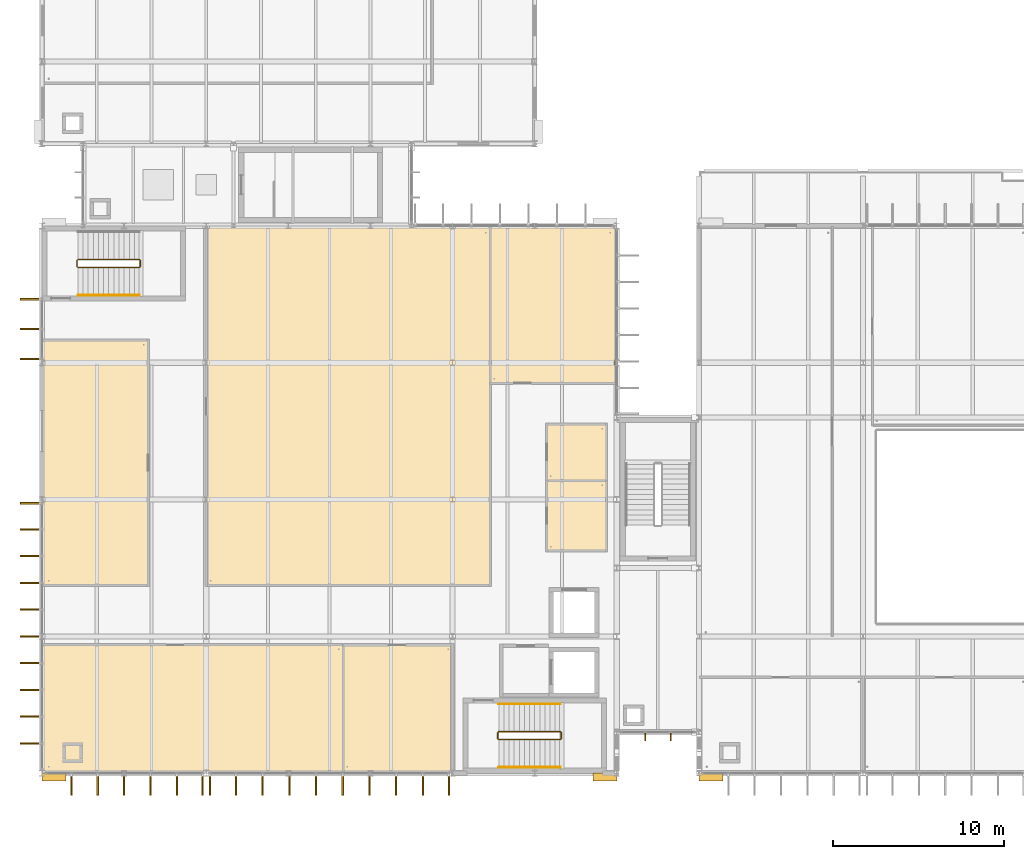
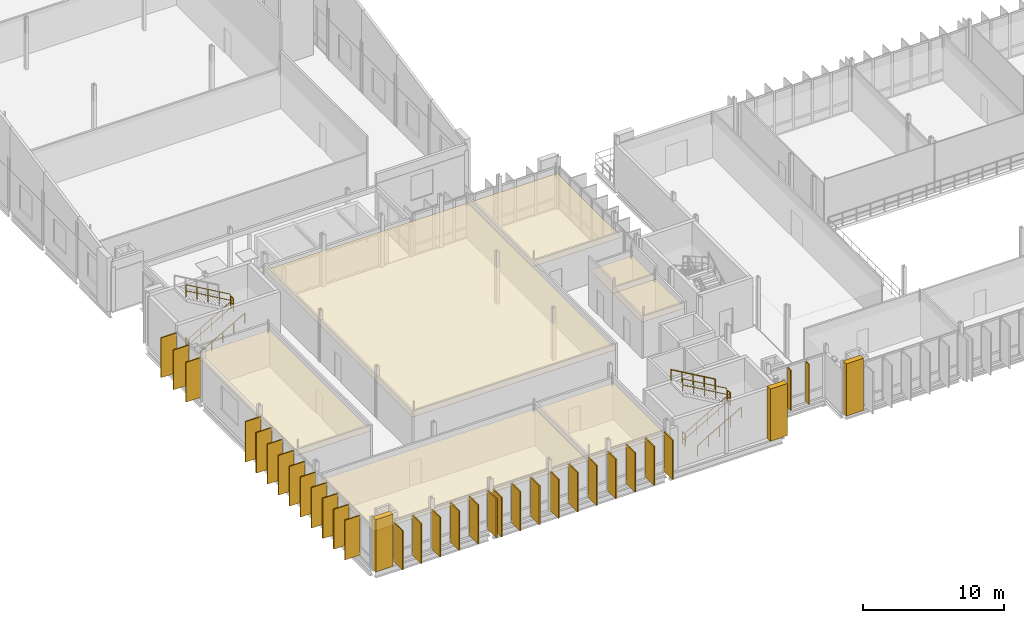
# One storey, part 85 of 93: 39 coverings, 11 railings, 2 shading devices.
"""IFC4 building model written with IfcOpenShell, lengths in metres."""

from ifc_helpers import new_model, si_unit, direction, frame, origin, origin_2d, place, context, subcontext, project, spatial, polyline, rectangle, circle, outline, extrude, material, layer, layer_set, type_object, element, save


model = new_model("IFC4")

# Units and contexts
model_context = context("Model", 3, precision=1e-05, world=origin(), true_north=direction((0.0, 1.0)))
body_context = subcontext(model_context, "Body", "Model", "MODEL_VIEW")
ifc_project = project(units=[si_unit("LENGTHUNIT", "METRE"), si_unit("AREAUNIT", "SQUARE_METRE"), si_unit("VOLUMEUNIT", "CUBIC_METRE"), si_unit("PLANEANGLEUNIT", "RADIAN"), si_unit("MASSUNIT", "GRAM", prefix="KILO")], contexts=[model_context])

# Site, building, storey
site_placement = place(None, origin())
site = spatial("IfcSite", under=ifc_project, at=site_placement, CompositionType="ELEMENT")
building_placement = place(site_placement, origin())
building = spatial("IfcBuilding", under=site, at=building_placement, Name="Dunescarp Central Library", CompositionType="ELEMENT")
storey_placement = place(building_placement, frame((0.0, 0.0, 14.10009765625)))
storey = spatial("IfcBuildingStorey", under=building, at=storey_placement, Name="L03", CompositionType="ELEMENT", Elevation=14.10009765625)

# Coverings
ifc_material_1 = material(Name="Perforated birch acoustic timber baffle", Category="wood")
ifc_layer_1 = layer(ifc_material_1, 0.050048828125)
ifc_layer_set_1 = layer_set([ifc_layer_1], Name="Perforated birch acoustic timber baffle")
covering_type_1 = type_object("IfcCoveringType", Name="ARC-COV-BAFFLE", PredefinedType="CEILING", material=ifc_layer_set_1)
covering_1_placement = place(storey_placement, frame((0.0, 0.0, 3.0498046875)))
element("IfcCovering", 1, at=covering_1_placement, inside=storey, type_object=covering_type_1, Name="L03 ceiling Science & Engineering Reading Gallery", PredefinedType="CEILING", context=body_context, shape_type="SweptSolid", body=[
    extrude(outline(polyline([(0.1201171875, 4.919921875), (17.6201171875, 4.919921875), (17.6201171875, 12.320068359375), (0.1201171875, 12.320068359375), (0.1201171875, 4.919921875)])), origin(), (0.0, 0.0, 1.0), 0.050048828125),
])
ifc_material_2 = material(Name="Mineral-fibre acoustic ceiling tile")
ifc_layer_2 = layer(ifc_material_2, 0.0400390625)
ifc_layer_set_2 = layer_set([ifc_layer_2], Name="Mineral-fibre acoustic ceiling tile")
covering_type_2 = type_object("IfcCoveringType", Name="ARC-COV-CEIL40", PredefinedType="CEILING", material=ifc_layer_set_2)
covering_2_placement = place(storey_placement, frame((0.0, 0.0, 3.0498046875)))
element("IfcCovering", 2, at=covering_2_placement, inside=storey, type_object=covering_type_2, Name="L03 ceiling Public Toilets", PredefinedType="CEILING", context=body_context, shape_type="SweptSolid", body=[
    extrude(outline(polyline([(29.47998046875, 17.780029296875), (33.02001953125, 17.780029296875), (33.02001953125, 21.919921875), (29.47998046875, 21.919921875), (29.47998046875, 17.780029296875)])), origin(), (0.0, 0.0, 1.0), 0.0400390625),
])
covering_3_placement = place(storey_placement, frame((0.0, 0.0, 3.0498046875)))
element("IfcCovering", 3, at=covering_3_placement, inside=storey, type_object=covering_type_2, Name="L03 ceiling Accessible Toilet", PredefinedType="CEILING", context=body_context, shape_type="SweptSolid", body=[
    extrude(outline(polyline([(29.47998046875, 21.8798828125), (33.02001953125, 21.8798828125), (33.02001953125, 25.219970703125), (29.47998046875, 25.219970703125), (29.47998046875, 21.8798828125)])), origin(), (0.0, 0.0, 1.0), 0.0400390625),
])
covering_4_placement = place(storey_placement, frame((0.0, 0.0, 3.0498046875)))
element("IfcCovering", 4, at=covering_4_placement, inside=storey, type_object=covering_type_2, Name="L03 ceiling Patent & Standards Seminar Room", PredefinedType="CEILING", context=body_context, shape_type="SweptSolid", body=[
    extrude(outline(polyline([(17.580078125, 4.919921875), (24.02001953125, 4.919921875), (24.02001953125, 12.320068359375), (17.580078125, 12.320068359375), (17.580078125, 4.919921875)])), origin(), (0.0, 0.0, 1.0), 0.0400390625),
])
covering_5_placement = place(storey_placement, frame((0.0, 0.0, 3.0498046875)))
element("IfcCovering", 5, at=covering_5_placement, inside=storey, type_object=covering_type_2, Name="L03 ceiling Digital GIS & Cartography Lab", PredefinedType="CEILING", context=body_context, shape_type="SweptSolid", body=[
    extrude(outline(polyline([(0.1201171875, 15.780029296875), (6.219970703125, 15.780029296875), (6.219970703125, 30.1201171875), (0.1201171875, 30.1201171875), (0.1201171875, 15.780029296875)])), origin(), (0.0, 0.0, 1.0), 0.0400390625),
])
covering_6_placement = place(storey_placement, frame((0.0, 0.0, 3.0498046875)))
element("IfcCovering", 6, at=covering_6_placement, inside=storey, type_object=covering_type_2, Name="L03 ceiling Academic Research Carrels", PredefinedType="CEILING", context=body_context, shape_type="SweptSolid", body=[
    extrude(outline(polyline([(9.580078125, 15.780029296875), (26.219970703125, 15.780029296875), (26.219970703125, 36.679931640625), (9.580078125, 36.679931640625), (9.580078125, 15.780029296875)])), origin(), (0.0, 0.0, 1.0), 0.0400390625),
])
covering_7_placement = place(storey_placement, frame((0.0, 0.0, 3.0498046875)))
element("IfcCovering", 7, at=covering_7_placement, inside=storey, type_object=covering_type_2, Name="L03 ceiling Inter-Library Loan Store", PredefinedType="CEILING", context=body_context, shape_type="SweptSolid", body=[
    extrude(outline(polyline([(26.179931640625, 27.580078125), (33.47998046875, 27.580078125), (33.47998046875, 36.679931640625), (26.179931640625, 36.679931640625), (26.179931640625, 27.580078125)])), origin(), (0.0, 0.0, 1.0), 0.0400390625),
])
ifc_material_3 = material(Name="Glass-fibre reinforced concrete GRC", Category="concrete")
ifc_layer_3 = layer(ifc_material_3, 0.090087890625)
ifc_layer_set_3 = layer_set([ifc_layer_3], Name="Glass-fibre reinforced concrete GRC")
covering_type_3 = type_object("IfcCoveringType", Name="ARC-COV-FIN1250", PredefinedType="CLADDING", material=ifc_layer_set_3)
covering_8_placement = place(storey_placement, frame((9.385009765625, 4.137939453125, 0.1669921875), z_axis=(0.0, 0.0, 1.0), x_axis=(0.0, -1.0, 0.0)))
element("IfcCovering", 8, at=covering_8_placement, inside=storey, type_object=covering_type_3, Name="L03 parametric vertical facade fin FIN-L03-0120", PredefinedType="CLADDING", context=body_context, shape_type="SweptSolid", body=[
    extrude(rectangle(XDim=1.25, YDim=0.090087890625, at=origin_2d()), origin(), (0.0, 0.0, 1.0), 3.3779296875),
])
covering_9_placement = place(storey_placement, frame((7.883056640625, 4.137939453125, 0.17919921875), z_axis=(0.0, 0.0, 1.0), x_axis=(0.0, -1.0, 0.0)))
element("IfcCovering", 9, at=covering_9_placement, inside=storey, type_object=covering_type_3, Name="L03 parametric vertical facade fin FIN-L03-0121", PredefinedType="CLADDING", context=body_context, shape_type="SweptSolid", body=[
    extrude(rectangle(XDim=1.25, YDim=0.090087890625, at=origin_2d()), origin(), (0.0, 0.0, 1.0), 3.364990234375),
])
covering_10_placement = place(storey_placement, frame((6.342041015625, 4.137939453125, 0.16357421875), z_axis=(0.0, 0.0, 1.0), x_axis=(0.0, -1.0, 0.0)))
element("IfcCovering", 10, at=covering_10_placement, inside=storey, type_object=covering_type_3, Name="L03 parametric vertical facade fin FIN-L03-0122", PredefinedType="CLADDING", context=body_context, shape_type="SweptSolid", body=[
    extrude(rectangle(XDim=1.25, YDim=0.090087890625, at=origin_2d()), origin(), (0.0, 0.0, 1.0), 3.381103515625),
])
covering_11_placement = place(storey_placement, frame((4.800048828125, 4.137939453125, 0.123046875), z_axis=(0.0, 0.0, 1.0), x_axis=(0.0, -1.0, 0.0)))
element("IfcCovering", 11, at=covering_11_placement, inside=storey, type_object=covering_type_3, Name="L03 parametric vertical facade fin FIN-L03-0123", PredefinedType="CLADDING", context=body_context, shape_type="SweptSolid", body=[
    extrude(rectangle(XDim=1.25, YDim=0.090087890625, at=origin_2d()), origin(), (0.0, 0.0, 1.0), 3.422119140625),
])
covering_12_placement = place(storey_placement, frame((3.258056640625, 4.137939453125, 0.079833984375), z_axis=(0.0, 0.0, 1.0), x_axis=(0.0, -1.0, 0.0)))
element("IfcCovering", 12, at=covering_12_placement, inside=storey, type_object=covering_type_3, Name="L03 parametric vertical facade fin FIN-L03-0124", PredefinedType="CLADDING", context=body_context, shape_type="SweptSolid", body=[
    extrude(rectangle(XDim=1.25, YDim=0.090087890625, at=origin_2d()), origin(), (0.0, 0.0, 1.0), 3.4541015625),
])
covering_13_placement = place(storey_placement, frame((1.717041015625, 4.137939453125, 0.080078125), z_axis=(0.0, 0.0, 1.0), x_axis=(0.0, -1.0, 0.0)))
element("IfcCovering", 13, at=covering_13_placement, inside=storey, type_object=covering_type_3, Name="L03 parametric vertical facade fin FIN-L03-0125", PredefinedType="CLADDING", context=body_context, shape_type="SweptSolid", body=[
    extrude(rectangle(XDim=1.25, YDim=0.090087890625, at=origin_2d()), origin(), (0.0, 0.0, 1.0), 3.404052734375),
])
covering_14_placement = place(storey_placement, frame((23.784912109375, 4.137939453125, 0.1669921875), z_axis=(0.0, 0.0, 1.0), x_axis=(0.0, -1.0, 0.0)))
element("IfcCovering", 14, at=covering_14_placement, inside=storey, type_object=covering_type_3, Name="L03 parametric vertical facade fin FIN-L03-0126", PredefinedType="CLADDING", context=body_context, shape_type="SweptSolid", body=[
    extrude(rectangle(XDim=1.25, YDim=0.090087890625, at=origin_2d()), origin(), (0.0, 0.0, 1.0), 3.3779296875),
])
covering_15_placement = place(storey_placement, frame((22.263916015625, 4.137939453125, 0.17919921875), z_axis=(0.0, 0.0, 1.0), x_axis=(0.0, -1.0, 0.0)))
element("IfcCovering", 15, at=covering_15_placement, inside=storey, type_object=covering_type_3, Name="L03 parametric vertical facade fin FIN-L03-0127", PredefinedType="CLADDING", context=body_context, shape_type="SweptSolid", body=[
    extrude(rectangle(XDim=1.25, YDim=0.090087890625, at=origin_2d()), origin(), (0.0, 0.0, 1.0), 3.364990234375),
])
covering_16_placement = place(storey_placement, frame((20.702880859375, 4.137939453125, 0.16357421875), z_axis=(0.0, 0.0, 1.0), x_axis=(0.0, -1.0, 0.0)))
element("IfcCovering", 16, at=covering_16_placement, inside=storey, type_object=covering_type_3, Name="L03 parametric vertical facade fin FIN-L03-0128", PredefinedType="CLADDING", context=body_context, shape_type="SweptSolid", body=[
    extrude(rectangle(XDim=1.25, YDim=0.090087890625, at=origin_2d()), origin(), (0.0, 0.0, 1.0), 3.381103515625),
])
covering_17_placement = place(storey_placement, frame((19.14208984375, 4.137939453125, 0.123046875), z_axis=(0.0, 0.0, 1.0), x_axis=(0.0, -1.0, 0.0)))
element("IfcCovering", 17, at=covering_17_placement, inside=storey, type_object=covering_type_3, Name="L03 parametric vertical facade fin FIN-L03-0129", PredefinedType="CLADDING", context=body_context, shape_type="SweptSolid", body=[
    extrude(rectangle(XDim=1.25, YDim=0.090087890625, at=origin_2d()), origin(), (0.0, 0.0, 1.0), 3.422119140625),
])
covering_18_placement = place(storey_placement, frame((17.5810546875, 4.137939453125, 0.079833984375), z_axis=(0.0, 0.0, 1.0), x_axis=(0.0, -1.0, 0.0)))
element("IfcCovering", 18, at=covering_18_placement, inside=storey, type_object=covering_type_3, Name="L03 parametric vertical facade fin FIN-L03-0130", PredefinedType="CLADDING", context=body_context, shape_type="SweptSolid", body=[
    extrude(rectangle(XDim=1.25, YDim=0.090087890625, at=origin_2d()), origin(), (0.0, 0.0, 1.0), 3.4541015625),
])
covering_19_placement = place(storey_placement, frame((16.01904296875, 4.137939453125, 0.080078125), z_axis=(0.0, 0.0, 1.0), x_axis=(0.0, -1.0, 0.0)))
element("IfcCovering", 19, at=covering_19_placement, inside=storey, type_object=covering_type_3, Name="L03 parametric vertical facade fin FIN-L03-0131", PredefinedType="CLADDING", context=body_context, shape_type="SweptSolid", body=[
    extrude(rectangle(XDim=1.25, YDim=0.090087890625, at=origin_2d()), origin(), (0.0, 0.0, 1.0), 3.404052734375),
])
covering_20_placement = place(storey_placement, frame((14.4580078125, 4.137939453125, 0.079345703125), z_axis=(0.0, 0.0, 1.0), x_axis=(0.0, -1.0, 0.0)))
element("IfcCovering", 20, at=covering_20_placement, inside=storey, type_object=covering_type_3, Name="L03 parametric vertical facade fin FIN-L03-0132", PredefinedType="CLADDING", context=body_context, shape_type="SweptSolid", body=[
    extrude(rectangle(XDim=1.25, YDim=0.090087890625, at=origin_2d()), origin(), (0.0, 0.0, 1.0), 3.37109375),
])
covering_21_placement = place(storey_placement, frame((12.89697265625, 4.137939453125, 0.08056640625), z_axis=(0.0, 0.0, 1.0), x_axis=(0.0, -1.0, 0.0)))
element("IfcCovering", 21, at=covering_21_placement, inside=storey, type_object=covering_type_3, Name="L03 parametric vertical facade fin FIN-L03-0133", PredefinedType="CLADDING", context=body_context, shape_type="SweptSolid", body=[
    extrude(rectangle(XDim=1.25, YDim=0.090087890625, at=origin_2d()), origin(), (0.0, 0.0, 1.0), 3.366943359375),
])
covering_22_placement = place(storey_placement, frame((11.3359375, 4.137939453125, 0.080322265625), z_axis=(0.0, 0.0, 1.0), x_axis=(0.0, -1.0, 0.0)))
element("IfcCovering", 22, at=covering_22_placement, inside=storey, type_object=covering_type_3, Name="L03 parametric vertical facade fin FIN-L03-0134", PredefinedType="CLADDING", context=body_context, shape_type="SweptSolid", body=[
    extrude(rectangle(XDim=1.25, YDim=0.090087890625, at=origin_2d()), origin(), (0.0, 0.0, 1.0), 3.39111328125),
])
covering_23_placement = place(storey_placement, frame((9.81494140625, 4.137939453125, 0.080322265625), z_axis=(0.0, 0.0, 1.0), x_axis=(0.0, -1.0, 0.0)))
element("IfcCovering", 23, at=covering_23_placement, inside=storey, type_object=covering_type_3, Name="L03 parametric vertical facade fin FIN-L03-0135", PredefinedType="CLADDING", context=body_context, shape_type="SweptSolid", body=[
    extrude(rectangle(XDim=1.25, YDim=0.090087890625, at=origin_2d()), origin(), (0.0, 0.0, 1.0), 3.43701171875),
])
covering_24_placement = place(storey_placement, frame((-0.662109375, 6.5400390625, 0.180419921875), z_axis=(0.0, 0.0, 1.0), x_axis=(-1.0, 0.0, 0.0)))
element("IfcCovering", 24, at=covering_24_placement, inside=storey, type_object=covering_type_3, Name="L03 parametric vertical facade fin FIN-L03-0143", PredefinedType="CLADDING", context=body_context, shape_type="SweptSolid", body=[
    extrude(rectangle(XDim=1.25, YDim=0.090087890625, at=origin_2d()), origin(), (0.0, 0.0, 1.0), 3.4150390625),
])
covering_25_placement = place(storey_placement, frame((-0.662109375, 8.10498046875, 0.16357421875), z_axis=(0.0, 0.0, 1.0), x_axis=(-1.0, 0.0, 0.0)))
element("IfcCovering", 25, at=covering_25_placement, inside=storey, type_object=covering_type_3, Name="L03 parametric vertical facade fin FIN-L03-0144", PredefinedType="CLADDING", context=body_context, shape_type="SweptSolid", body=[
    extrude(rectangle(XDim=1.25, YDim=0.090087890625, at=origin_2d()), origin(), (0.0, 0.0, 1.0), 3.430908203125),
])
covering_26_placement = place(storey_placement, frame((-0.662109375, 9.669921875, 0.123046875), z_axis=(0.0, 0.0, 1.0), x_axis=(-1.0, 0.0, 0.0)))
element("IfcCovering", 26, at=covering_26_placement, inside=storey, type_object=covering_type_3, Name="L03 parametric vertical facade fin FIN-L03-0145", PredefinedType="CLADDING", context=body_context, shape_type="SweptSolid", body=[
    extrude(rectangle(XDim=1.25, YDim=0.090087890625, at=origin_2d()), origin(), (0.0, 0.0, 1.0), 3.471923828125),
])
covering_27_placement = place(storey_placement, frame((-0.662109375, 11.235107421875, 0.079833984375), z_axis=(0.0, 0.0, 1.0), x_axis=(-1.0, 0.0, 0.0)))
element("IfcCovering", 27, at=covering_27_placement, inside=storey, type_object=covering_type_3, Name="L03 parametric vertical facade fin FIN-L03-0146", PredefinedType="CLADDING", context=body_context, shape_type="SweptSolid", body=[
    extrude(rectangle(XDim=1.25, YDim=0.090087890625, at=origin_2d()), origin(), (0.0, 0.0, 1.0), 3.50390625),
])
covering_28_placement = place(storey_placement, frame((-0.662109375, 12.800048828125, 0.079833984375), z_axis=(0.0, 0.0, 1.0), x_axis=(-1.0, 0.0, 0.0)))
element("IfcCovering", 28, at=covering_28_placement, inside=storey, type_object=covering_type_3, Name="L03 parametric vertical facade fin FIN-L03-0147", PredefinedType="CLADDING", context=body_context, shape_type="SweptSolid", body=[
    extrude(rectangle(XDim=1.25, YDim=0.090087890625, at=origin_2d()), origin(), (0.0, 0.0, 1.0), 3.4541015625),
])
covering_29_placement = place(storey_placement, frame((-0.662109375, 14.364990234375, 0.079345703125), z_axis=(0.0, 0.0, 1.0), x_axis=(-1.0, 0.0, 0.0)))
element("IfcCovering", 29, at=covering_29_placement, inside=storey, type_object=covering_type_3, Name="L03 parametric vertical facade fin FIN-L03-0148", PredefinedType="CLADDING", context=body_context, shape_type="SweptSolid", body=[
    extrude(rectangle(XDim=1.25, YDim=0.090087890625, at=origin_2d()), origin(), (0.0, 0.0, 1.0), 3.4208984375),
])
covering_30_placement = place(storey_placement, frame((-0.662109375, 15.929931640625, 0.080322265625), z_axis=(0.0, 0.0, 1.0), x_axis=(-1.0, 0.0, 0.0)))
element("IfcCovering", 30, at=covering_30_placement, inside=storey, type_object=covering_type_3, Name="L03 parametric vertical facade fin FIN-L03-0149", PredefinedType="CLADDING", context=body_context, shape_type="SweptSolid", body=[
    extrude(rectangle(XDim=1.25, YDim=0.090087890625, at=origin_2d()), origin(), (0.0, 0.0, 1.0), 3.4169921875),
])
covering_31_placement = place(storey_placement, frame((-0.662109375, 17.4951171875, 0.079345703125), z_axis=(0.0, 0.0, 1.0), x_axis=(-1.0, 0.0, 0.0)))
element("IfcCovering", 31, at=covering_31_placement, inside=storey, type_object=covering_type_3, Name="L03 parametric vertical facade fin FIN-L03-0150", PredefinedType="CLADDING", context=body_context, shape_type="SweptSolid", body=[
    extrude(rectangle(XDim=1.25, YDim=0.090087890625, at=origin_2d()), origin(), (0.0, 0.0, 1.0), 3.44091796875),
])
covering_32_placement = place(storey_placement, frame((-0.662109375, 19.06005859375, 0.08056640625), z_axis=(0.0, 0.0, 1.0), x_axis=(-1.0, 0.0, 0.0)))
element("IfcCovering", 32, at=covering_32_placement, inside=storey, type_object=covering_type_3, Name="L03 parametric vertical facade fin FIN-L03-0151", PredefinedType="CLADDING", context=body_context, shape_type="SweptSolid", body=[
    extrude(rectangle(XDim=1.25, YDim=0.090087890625, at=origin_2d()), origin(), (0.0, 0.0, 1.0), 3.487060546875),
])
covering_33_placement = place(storey_placement, frame((-0.662109375, 20.5849609375, 0.10546875), z_axis=(0.0, 0.0, 1.0), x_axis=(-1.0, 0.0, 0.0)))
element("IfcCovering", 33, at=covering_33_placement, inside=storey, type_object=covering_type_3, Name="L03 parametric vertical facade fin FIN-L03-0152", PredefinedType="CLADDING", context=body_context, shape_type="SweptSolid", body=[
    extrude(rectangle(XDim=1.25, YDim=0.090087890625, at=origin_2d()), origin(), (0.0, 0.0, 1.0), 3.489013671875),
])
covering_34_placement = place(storey_placement, frame((-0.662109375, 29.014892578125, 0.1669921875), z_axis=(0.0, 0.0, 1.0), x_axis=(-1.0, 0.0, 0.0)))
element("IfcCovering", 34, at=covering_34_placement, inside=storey, type_object=covering_type_3, Name="L03 parametric vertical facade fin FIN-L03-0153", PredefinedType="CLADDING", context=body_context, shape_type="SweptSolid", body=[
    extrude(rectangle(XDim=1.25, YDim=0.090087890625, at=origin_2d()), origin(), (0.0, 0.0, 1.0), 3.427978515625),
])
covering_35_placement = place(storey_placement, frame((-0.662109375, 30.761962890625, 0.180419921875), z_axis=(0.0, 0.0, 1.0), x_axis=(-1.0, 0.0, 0.0)))
element("IfcCovering", 35, at=covering_35_placement, inside=storey, type_object=covering_type_3, Name="L03 parametric vertical facade fin FIN-L03-0154", PredefinedType="CLADDING", context=body_context, shape_type="SweptSolid", body=[
    extrude(rectangle(XDim=1.25, YDim=0.090087890625, at=origin_2d()), origin(), (0.0, 0.0, 1.0), 3.4150390625),
])
covering_36_placement = place(storey_placement, frame((-0.662109375, 32.510009765625, 0.16357421875), z_axis=(0.0, 0.0, 1.0), x_axis=(-1.0, 0.0, 0.0)))
element("IfcCovering", 36, at=covering_36_placement, inside=storey, type_object=covering_type_3, Name="L03 parametric vertical facade fin FIN-L03-0155", PredefinedType="CLADDING", context=body_context, shape_type="SweptSolid", body=[
    extrude(rectangle(XDim=1.25, YDim=0.090087890625, at=origin_2d()), origin(), (0.0, 0.0, 1.0), 3.430908203125),
])
ifc_layer_4 = layer(ifc_material_3, 0.449951171875)
ifc_layer_set_4 = layer_set([ifc_layer_4], Name="Glass-fibre reinforced concrete GRC")
covering_type_4 = type_object("IfcCoveringType", Name="ARC-COV-PORTAL", PredefinedType="CLADDING", material=ifc_layer_set_4)
for number, where, z_axis, x_axis, name in (
    (37, (39.10009765625, 4.580078125, 0.0), (0.0, 0.0, 1.0), (1.0, 0.0, 0.0), "V2 sculpted GRC portal pier PRT-BAND-V2-013"),
    (38, (0.699951171875, 4.580078125, 0.0), (0.0, 0.0, 1.0), (1.0, 0.0, 0.0), "V1 sculpted GRC portal pier PRT-BAND-V1-093"),
    (39, (32.89990234375, 4.580078125, 0.0), (0.0, 0.0, 1.0), (1.0, 0.0, 0.0), "V1 sculpted GRC portal pier PRT-BAND-V1-095"),
):
    element("IfcCovering", number, at=place(storey_placement, frame(where, z_axis=z_axis, x_axis=x_axis)), inside=storey, type_object=covering_type_4, Name=name, PredefinedType="CLADDING", context=body_context, shape_type="SweptSolid", body=[
        extrude(rectangle(XDim=1.39990234375, YDim=0.449951171875, at=origin_2d()), origin(), (0.0, 0.0, 1.0), 4.5),
    ])

# Railings
ifc_material_4 = material(Name="Stainless steel Grade 316L", Category="steel")
railing_type_1 = type_object("IfcRailingType", Name="ARC-RL-GUARD", PredefinedType="GUARDRAIL", material=ifc_material_4)
railing_1_placement = place(storey_placement, frame((26.699951171875, 6.77001953125, 0.173095703125)))
element("IfcRailing", 40, at=railing_1_placement, inside=storey, type_object=railing_type_1, Name="L03 ST-1 stair guard 1", PredefinedType="GUARDRAIL", context=body_context, shape_type="SweptSolid", body=[
    extrude(circle(Radius=0.02392578125, at=origin_2d()), frame((0.0, 0.0, 1.076171875), z_axis=(0.866193409371, 0.0, 0.499708892819), x_axis=(0.0, 1.0, 0.0)), (0.0, 0.0, 1.0), 4.15625),
    extrude(circle(Radius=0.02392578125, at=origin_2d()), frame((0.0, 0.0, 0.550048828125), z_axis=(0.866193409371, 0.0, 0.499708892819), x_axis=(0.0, 1.0, 0.0)), (0.0, 0.0, 1.0), 4.15625),
    extrude(circle(Radius=0.02099609375, at=origin_2d()), origin(), (0.0, 0.0, 1.0), 1.052001953125),
    extrude(circle(Radius=0.02099609375, at=origin_2d()), frame((0.89990234375, 0.0, 0.519287109375)), (0.0, 0.0, 1.0), 1.052001953125),
    extrude(circle(Radius=0.02099609375, at=origin_2d()), frame((1.800048828125, 0.0, 1.03857421875)), (0.0, 0.0, 1.0), 1.052001953125),
    extrude(circle(Radius=0.02099609375, at=origin_2d()), frame((2.7001953125, 0.0, 1.5576171875)), (0.0, 0.0, 1.0), 1.052001953125),
    extrude(circle(Radius=0.02099609375, at=origin_2d()), frame((3.60009765625, 0.0, 2.076904296875)), (0.0, 0.0, 1.0), 1.052001953125),
])
railing_2_placement = place(storey_placement, frame((30.35009765625, 6.820068359375, 2.25)))
element("IfcRailing", 41, at=railing_2_placement, inside=storey, type_object=railing_type_1, Name="L03 ST-1 stair guard 2", PredefinedType="GUARDRAIL", context=body_context, shape_type="SweptSolid", body=[
    extrude(circle(Radius=0.02392578125, at=origin_2d()), frame((0.0, 0.0, 1.076171875), z_axis=(0.0, 1.0, 0.0), x_axis=(-1.0, 0.0, 0.0)), (0.0, 0.0, 1.0), 0.35986328125),
    extrude(circle(Radius=0.02392578125, at=origin_2d()), frame((0.0, 0.0, 0.550048828125), z_axis=(0.0, 1.0, 0.0), x_axis=(-1.0, 0.0, 0.0)), (0.0, 0.0, 1.0), 0.35986328125),
    extrude(circle(Radius=0.02099609375, at=origin_2d()), origin(), (0.0, 0.0, 1.0), 1.052001953125),
    extrude(circle(Radius=0.02099609375, at=origin_2d()), frame((0.0, 0.35986328125, 0.0)), (0.0, 0.0, 1.0), 1.052001953125),
])
railing_3_placement = place(storey_placement, frame((30.300048828125, 7.22998046875, 2.423095703125)))
element("IfcRailing", 42, at=railing_3_placement, inside=storey, type_object=railing_type_1, Name="L03 ST-1 stair guard 3", PredefinedType="GUARDRAIL", context=body_context, shape_type="SweptSolid", body=[
    extrude(circle(Radius=0.02392578125, at=origin_2d()), frame((0.0, 0.0, 1.076171875), z_axis=(-0.866193409371, 0.0, 0.499708892819), x_axis=(0.0, -1.0, 0.0)), (0.0, 0.0, 1.0), 4.15625),
    extrude(circle(Radius=0.02392578125, at=origin_2d()), frame((0.0, 0.0, 0.550048828125), z_axis=(-0.866193409371, 0.0, 0.499708892819), x_axis=(0.0, -1.0, 0.0)), (0.0, 0.0, 1.0), 4.15625),
    extrude(circle(Radius=0.02099609375, at=origin_2d()), origin(), (0.0, 0.0, 1.0), 1.052001953125),
    extrude(circle(Radius=0.02099609375, at=origin_2d()), frame((-0.89990234375, 0.0, 0.519287109375)), (0.0, 0.0, 1.0), 1.052001953125),
    extrude(circle(Radius=0.02099609375, at=origin_2d()), frame((-1.800048828125, 0.0, 1.03857421875)), (0.0, 0.0, 1.0), 1.052001953125),
    extrude(circle(Radius=0.02099609375, at=origin_2d()), frame((-2.7001953125, 0.0, 1.5576171875)), (0.0, 0.0, 1.0), 1.052001953125),
    extrude(circle(Radius=0.02099609375, at=origin_2d()), frame((-3.60009765625, 0.0, 2.076904296875)), (0.0, 0.0, 1.0), 1.052001953125),
])
railing_4_placement = place(storey_placement, frame((26.64990234375, 6.820068359375, 0.0)))
element("IfcRailing", 43, at=railing_4_placement, inside=storey, type_object=railing_type_1, Name="L03 ST-1 stair guard 4", PredefinedType="GUARDRAIL", context=body_context, shape_type="SweptSolid", body=[
    extrude(circle(Radius=0.02392578125, at=origin_2d()), frame((0.0, 0.0, 1.076171875), z_axis=(0.0, 1.0, 0.0), x_axis=(-1.0, 0.0, 0.0)), (0.0, 0.0, 1.0), 0.35986328125),
    extrude(circle(Radius=0.02392578125, at=origin_2d()), frame((0.0, 0.0, 0.550048828125), z_axis=(0.0, 1.0, 0.0), x_axis=(-1.0, 0.0, 0.0)), (0.0, 0.0, 1.0), 0.35986328125),
    extrude(circle(Radius=0.02099609375, at=origin_2d()), origin(), (0.0, 0.0, 1.0), 1.052001953125),
    extrude(circle(Radius=0.02099609375, at=origin_2d()), frame((0.0, 0.35986328125, 0.0)), (0.0, 0.0, 1.0), 1.052001953125),
])
railing_5_placement = place(storey_placement, frame((2.10009765625, 34.3701171875, 0.173095703125)))
element("IfcRailing", 44, at=railing_5_placement, inside=storey, type_object=railing_type_1, Name="L03 ST-6 stair guard 1", PredefinedType="GUARDRAIL", context=body_context, shape_type="SweptSolid", body=[
    extrude(circle(Radius=0.02392578125, at=origin_2d()), frame((0.0, 0.0, 1.076171875), z_axis=(0.866178740119, 0.0, 0.499734319579), x_axis=(0.0, 1.0, 0.0)), (0.0, 0.0, 1.0), 4.156005859375),
    extrude(circle(Radius=0.02392578125, at=origin_2d()), frame((0.0, 0.0, 0.550048828125), z_axis=(0.866178740119, 0.0, 0.499734319579), x_axis=(0.0, 1.0, 0.0)), (0.0, 0.0, 1.0), 4.156005859375),
    extrude(circle(Radius=0.02099609375, at=origin_2d()), origin(), (0.0, 0.0, 1.0), 1.052001953125),
    extrude(circle(Radius=0.02099609375, at=origin_2d()), frame((0.89990234375, 0.0, 0.519287109375)), (0.0, 0.0, 1.0), 1.052001953125),
    extrude(circle(Radius=0.02099609375, at=origin_2d()), frame((1.7998046875, 0.0, 1.03857421875)), (0.0, 0.0, 1.0), 1.052001953125),
    extrude(circle(Radius=0.02099609375, at=origin_2d()), frame((2.699951171875, 0.0, 1.5576171875)), (0.0, 0.0, 1.0), 1.052001953125),
    extrude(circle(Radius=0.02099609375, at=origin_2d()), frame((3.599853515625, 0.0, 2.076904296875)), (0.0, 0.0, 1.0), 1.052001953125),
])
railing_6_placement = place(storey_placement, frame((5.75, 34.419921875, 2.25)))
element("IfcRailing", 45, at=railing_6_placement, inside=storey, type_object=railing_type_1, Name="L03 ST-6 stair guard 2", PredefinedType="GUARDRAIL", context=body_context, shape_type="SweptSolid", body=[
    extrude(circle(Radius=0.02392578125, at=origin_2d()), frame((0.0, 0.0, 1.076171875), z_axis=(0.0, 1.0, 0.0), x_axis=(-1.0, 0.0, 0.0)), (0.0, 0.0, 1.0), 0.360107421875),
    extrude(circle(Radius=0.02392578125, at=origin_2d()), frame((0.0, 0.0, 0.550048828125), z_axis=(0.0, 1.0, 0.0), x_axis=(-1.0, 0.0, 0.0)), (0.0, 0.0, 1.0), 0.360107421875),
    extrude(circle(Radius=0.02099609375, at=origin_2d()), origin(), (0.0, 0.0, 1.0), 1.052001953125),
    extrude(circle(Radius=0.02099609375, at=origin_2d()), frame((0.0, 0.360107421875, 0.0)), (0.0, 0.0, 1.0), 1.052001953125),
])
railing_7_placement = place(storey_placement, frame((5.699951171875, 34.830078125, 2.423095703125)))
element("IfcRailing", 46, at=railing_7_placement, inside=storey, type_object=railing_type_1, Name="L03 ST-6 stair guard 3", PredefinedType="GUARDRAIL", context=body_context, shape_type="SweptSolid", body=[
    extrude(circle(Radius=0.02392578125, at=origin_2d()), frame((0.0, 0.0, 1.076171875), z_axis=(-0.866178740119, 0.0, 0.499734319579), x_axis=(0.0, -1.0, 0.0)), (0.0, 0.0, 1.0), 4.156005859375),
    extrude(circle(Radius=0.02392578125, at=origin_2d()), frame((0.0, 0.0, 0.550048828125), z_axis=(-0.866178740119, 0.0, 0.499734319579), x_axis=(0.0, -1.0, 0.0)), (0.0, 0.0, 1.0), 4.156005859375),
    extrude(circle(Radius=0.02099609375, at=origin_2d()), origin(), (0.0, 0.0, 1.0), 1.052001953125),
    extrude(circle(Radius=0.02099609375, at=origin_2d()), frame((-0.89990234375, 0.0, 0.519287109375)), (0.0, 0.0, 1.0), 1.052001953125),
    extrude(circle(Radius=0.02099609375, at=origin_2d()), frame((-1.7998046875, 0.0, 1.03857421875)), (0.0, 0.0, 1.0), 1.052001953125),
    extrude(circle(Radius=0.02099609375, at=origin_2d()), frame((-2.699951171875, 0.0, 1.5576171875)), (0.0, 0.0, 1.0), 1.052001953125),
    extrude(circle(Radius=0.02099609375, at=origin_2d()), frame((-3.599853515625, 0.0, 2.076904296875)), (0.0, 0.0, 1.0), 1.052001953125),
])
railing_8_placement = place(storey_placement, frame((2.050048828125, 34.419921875, 0.0)))
element("IfcRailing", 47, at=railing_8_placement, inside=storey, type_object=railing_type_1, Name="L03 ST-6 stair guard 4", PredefinedType="GUARDRAIL", context=body_context, shape_type="SweptSolid", body=[
    extrude(circle(Radius=0.02392578125, at=origin_2d()), frame((0.0, 0.0, 1.076171875), z_axis=(0.0, 1.0, 0.0), x_axis=(-1.0, 0.0, 0.0)), (0.0, 0.0, 1.0), 0.360107421875),
    extrude(circle(Radius=0.02392578125, at=origin_2d()), frame((0.0, 0.0, 0.550048828125), z_axis=(0.0, 1.0, 0.0), x_axis=(-1.0, 0.0, 0.0)), (0.0, 0.0, 1.0), 0.360107421875),
    extrude(circle(Radius=0.02099609375, at=origin_2d()), origin(), (0.0, 0.0, 1.0), 1.052001953125),
    extrude(circle(Radius=0.02099609375, at=origin_2d()), frame((0.0, 0.360107421875, 0.0)), (0.0, 0.0, 1.0), 1.052001953125),
])
railing_type_2 = type_object("IfcRailingType", Name="ARC-RL-HAND", PredefinedType="HANDRAIL", material=ifc_material_4)
railing_9_placement = place(storey_placement, frame((26.699951171875, 5.14990234375, 0.173095703125)))
element("IfcRailing", 48, at=railing_9_placement, inside=storey, type_object=railing_type_2, Name="L03 ST-1 stair handrail 1", PredefinedType="HANDRAIL", context=body_context, shape_type="SweptSolid", body=[
    extrude(circle(Radius=0.02392578125, at=origin_2d()), frame((0.0, 0.0, 0.8857421875), z_axis=(0.866193409371, 0.0, 0.499708892819), x_axis=(0.0, 1.0, 0.0)), (0.0, 0.0, 1.0), 4.15625),
    extrude(circle(Radius=0.02099609375, at=origin_2d()), origin(), (0.0, 0.0, 1.0), 0.86181640625),
    extrude(circle(Radius=0.02099609375, at=origin_2d()), frame((0.89990234375, 0.0, 0.519287109375)), (0.0, 0.0, 1.0), 0.86181640625),
    extrude(circle(Radius=0.02099609375, at=origin_2d()), frame((1.800048828125, 0.0, 1.03857421875)), (0.0, 0.0, 1.0), 0.86181640625),
    extrude(circle(Radius=0.02099609375, at=origin_2d()), frame((2.7001953125, 0.0, 1.5576171875)), (0.0, 0.0, 1.0), 0.86181640625),
    extrude(circle(Radius=0.02099609375, at=origin_2d()), frame((3.60009765625, 0.0, 2.076904296875)), (0.0, 0.0, 1.0), 0.86181640625),
])
railing_10_placement = place(storey_placement, frame((30.300048828125, 8.85009765625, 2.423095703125)))
element("IfcRailing", 49, at=railing_10_placement, inside=storey, type_object=railing_type_2, Name="L03 ST-1 stair handrail 2", PredefinedType="HANDRAIL", context=body_context, shape_type="SweptSolid", body=[
    extrude(circle(Radius=0.02392578125, at=origin_2d()), frame((0.0, 0.0, 0.8857421875), z_axis=(-0.866193409371, 0.0, 0.499708892819), x_axis=(0.0, -1.0, 0.0)), (0.0, 0.0, 1.0), 4.15625),
    extrude(circle(Radius=0.02099609375, at=origin_2d()), origin(), (0.0, 0.0, 1.0), 0.86181640625),
    extrude(circle(Radius=0.02099609375, at=origin_2d()), frame((-0.89990234375, 0.0, 0.519287109375)), (0.0, 0.0, 1.0), 0.86181640625),
    extrude(circle(Radius=0.02099609375, at=origin_2d()), frame((-1.800048828125, 0.0, 1.03857421875)), (0.0, 0.0, 1.0), 0.86181640625),
    extrude(circle(Radius=0.02099609375, at=origin_2d()), frame((-2.7001953125, 0.0, 1.5576171875)), (0.0, 0.0, 1.0), 0.86181640625),
    extrude(circle(Radius=0.02099609375, at=origin_2d()), frame((-3.60009765625, 0.0, 2.076904296875)), (0.0, 0.0, 1.0), 0.86181640625),
])
railing_11_placement = place(storey_placement, frame((2.10009765625, 32.75, 0.173095703125)))
element("IfcRailing", 50, at=railing_11_placement, inside=storey, type_object=railing_type_2, Name="L03 ST-6 stair handrail 1", PredefinedType="HANDRAIL", context=body_context, shape_type="SweptSolid", body=[
    extrude(circle(Radius=0.02392578125, at=origin_2d()), frame((0.0, 0.0, 0.8857421875), z_axis=(0.866178740119, 0.0, 0.499734319579), x_axis=(0.0, 1.0, 0.0)), (0.0, 0.0, 1.0), 4.156005859375),
    extrude(circle(Radius=0.02099609375, at=origin_2d()), origin(), (0.0, 0.0, 1.0), 0.86181640625),
    extrude(circle(Radius=0.02099609375, at=origin_2d()), frame((0.89990234375, 0.0, 0.519287109375)), (0.0, 0.0, 1.0), 0.86181640625),
    extrude(circle(Radius=0.02099609375, at=origin_2d()), frame((1.7998046875, 0.0, 1.03857421875)), (0.0, 0.0, 1.0), 0.86181640625),
    extrude(circle(Radius=0.02099609375, at=origin_2d()), frame((2.699951171875, 0.0, 1.5576171875)), (0.0, 0.0, 1.0), 0.86181640625),
    extrude(circle(Radius=0.02099609375, at=origin_2d()), frame((3.599853515625, 0.0, 2.076904296875)), (0.0, 0.0, 1.0), 0.86181640625),
])

# Shading devices
ifc_material_5 = material(Name="Marine-grade anodised aluminium 6063-T6", Category="aluminium")
ifc_layer_5 = layer(ifc_material_5, 0.06005859375)
ifc_layer_set_5 = layer_set([ifc_layer_5], Name="Marine-grade anodised aluminium 6063-T6")
shading_device_type = type_object("IfcShadingDeviceType", Name="ARC-SHD-FIN", PredefinedType="USERDEFINED", material=ifc_layer_set_5)
for number, where, z_axis, x_axis, name in (
    (51, (36.741943359375, 6.93896484375, 0.150390625), (0.0, 0.0, 1.0), (0.0, -1.0, 0.0), "L03 link sunshade fin SHDF-L03-1091"),
    (52, (35.258056640625, 6.93896484375, 0.150390625), (0.0, 0.0, 1.0), (0.0, -1.0, 0.0), "L03 link sunshade fin SHDF-L03-1092"),
):
    element("IfcShadingDevice", number, at=place(storey_placement, frame(where, z_axis=z_axis, x_axis=x_axis)), inside=storey, type_object=shading_device_type, Name=name, ObjectType="FIN", PredefinedType="USERDEFINED", context=body_context, shape_type="SweptSolid", body=[
        extrude(rectangle(XDim=0.449951171875, YDim=0.06005859375, at=origin_2d()), origin(), (0.0, 0.0, 1.0), 3.47509765625),
    ])

save(model, "model.ifc")
